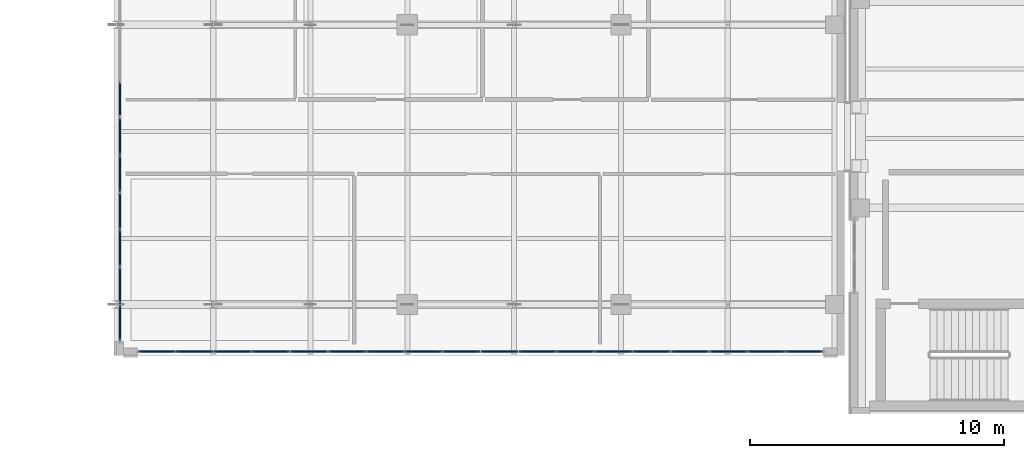
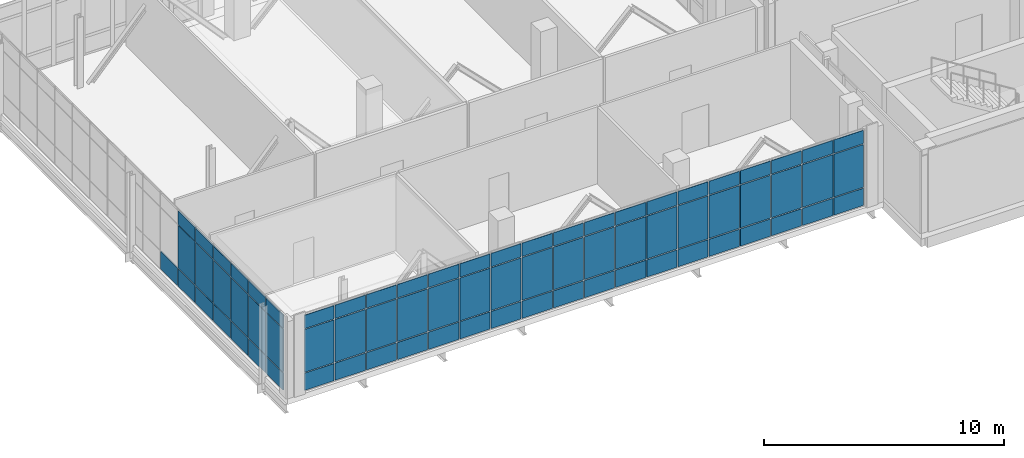
# One storey, part 112 of 165: 73 plates, 2 elements without a shape of their own.
"""IFC4 building model written with IfcOpenShell, lengths in metres."""

from ifc_helpers import new_model, si_unit, direction, frame, origin, origin_2d, place, context, subcontext, project, spatial, rectangle, extrude, material, layer, layer_set, type_object, element, aggregate, save


model = new_model("IFC4")

# Units and contexts
model_context = context("Model", 3, precision=1e-05, world=origin(), true_north=direction((0.0, 1.0)))
body_context = subcontext(model_context, "Body", "Model", "MODEL_VIEW")
ifc_project = project(units=[si_unit("LENGTHUNIT", "METRE"), si_unit("AREAUNIT", "SQUARE_METRE"), si_unit("VOLUMEUNIT", "CUBIC_METRE"), si_unit("PLANEANGLEUNIT", "RADIAN"), si_unit("MASSUNIT", "GRAM", prefix="KILO")], contexts=[model_context])

# Site, building, storey
site_placement = place(None, origin())
site = spatial("IfcSite", under=ifc_project, at=site_placement, CompositionType="ELEMENT")
building_placement = place(site_placement, origin())
building = spatial("IfcBuilding", under=site, at=building_placement, Name="Qalavern Law Courts", CompositionType="ELEMENT")
storey_placement = place(building_placement, frame((0.0, 0.0, 14.39990234375)))
storey = spatial("IfcBuildingStorey", under=building, at=storey_placement, Name="L03", CompositionType="ELEMENT", Elevation=14.39990234375)

# Curtain wall, plates
ifc_material_1 = material(Name="Anodised aluminium and insulated glazing", Category="aluminium")
ifc_layer_1 = layer(ifc_material_1, 0.199951171875)
ifc_layer_set_1 = layer_set([ifc_layer_1], Name="Anodised aluminium and insulated glazing")
curtain_wall_type = type_object("IfcCurtainWallType", Name="ENV-CW-FOYER", PredefinedType="USERDEFINED", material=ifc_layer_set_1)
curtain_wall_1_placement = place(storey_placement, origin())
curtain_wall_1 = element("IfcCurtainWall", 1, at=curtain_wall_1_placement, inside=storey, type_object=curtain_wall_type, Name="V1 unitised curtain wall L03 south 1", ObjectType="UNITISED CURTAIN WALL", PredefinedType="USERDEFINED")
ifc_material_2 = material(Name="Insulated low-E acoustic glazing", Category="glass")
ifc_layer_2 = layer(ifc_material_2, 0.052001953125)
ifc_layer_set_2 = layer_set([ifc_layer_2], Name="Insulated low-E acoustic glazing")
plate_type = type_object("IfcPlateType", Name="ENV-CWP-52", PredefinedType="CURTAIN_PANEL", material=ifc_layer_set_2)
plate_1_placement = place(storey_placement, frame((6.951171875, 8.1474609375, 0.048095703125), z_axis=(0.0, 0.0, 1.0), x_axis=(1.0, 0.0, 0.0)))
plate_1 = element("IfcPlate", 2, at=plate_1_placement, type_object=plate_type, Name="CW-01 panel 1.1", PredefinedType="CURTAIN_PANEL", context=body_context, shape_type="SweptSolid", body=[
    extrude(rectangle(XDim=1.42626953125, YDim=0.052001953125, at=origin_2d()), origin(), (0.0, 0.0, 1.0), 0.8779296875),
])
plate_2_placement = place(storey_placement, frame((6.951171875, 8.1474609375, 0.97412109375), z_axis=(0.0, 0.0, 1.0), x_axis=(1.0, 0.0, 0.0)))
plate_2 = element("IfcPlate", 3, at=plate_2_placement, type_object=plate_type, Name="CW-01 panel 1.2", PredefinedType="CURTAIN_PANEL", context=body_context, shape_type="SweptSolid", body=[
    extrude(rectangle(XDim=1.42626953125, YDim=0.052001953125, at=origin_2d()), origin(), (0.0, 0.0, 1.0), 2.172119140625),
])
plate_3_placement = place(storey_placement, frame((6.951171875, 8.1474609375, 3.1943359375), z_axis=(0.0, 0.0, 1.0), x_axis=(1.0, 0.0, 0.0)))
plate_3 = element("IfcPlate", 4, at=plate_3_placement, type_object=plate_type, Name="CW-01 panel 1.3", PredefinedType="CURTAIN_PANEL", context=body_context, shape_type="SweptSolid", body=[
    extrude(rectangle(XDim=1.42626953125, YDim=0.052001953125, at=origin_2d()), origin(), (0.0, 0.0, 1.0), 0.677978515625),
])
plate_4_placement = place(storey_placement, frame((8.4375, 8.1474609375, 0.048095703125), z_axis=(0.0, 0.0, 1.0), x_axis=(1.0, 0.0, 0.0)))
plate_4 = element("IfcPlate", 5, at=plate_4_placement, type_object=plate_type, Name="CW-01 panel 2.1", PredefinedType="CURTAIN_PANEL", context=body_context, shape_type="SweptSolid", body=[
    extrude(rectangle(XDim=1.450439453125, YDim=0.052001953125, at=origin_2d()), origin(), (0.0, 0.0, 1.0), 0.8779296875),
])
plate_5_placement = place(storey_placement, frame((8.4375, 8.1474609375, 0.97412109375), z_axis=(0.0, 0.0, 1.0), x_axis=(1.0, 0.0, 0.0)))
plate_5 = element("IfcPlate", 6, at=plate_5_placement, type_object=plate_type, Name="CW-01 panel 2.2", PredefinedType="CURTAIN_PANEL", context=body_context, shape_type="SweptSolid", body=[
    extrude(rectangle(XDim=1.450439453125, YDim=0.052001953125, at=origin_2d()), origin(), (0.0, 0.0, 1.0), 2.172119140625),
])
plate_6_placement = place(storey_placement, frame((8.4375, 8.1474609375, 3.1943359375), z_axis=(0.0, 0.0, 1.0), x_axis=(1.0, 0.0, 0.0)))
plate_6 = element("IfcPlate", 7, at=plate_6_placement, type_object=plate_type, Name="CW-01 panel 2.3", PredefinedType="CURTAIN_PANEL", context=body_context, shape_type="SweptSolid", body=[
    extrude(rectangle(XDim=1.450439453125, YDim=0.052001953125, at=origin_2d()), origin(), (0.0, 0.0, 1.0), 0.677978515625),
])
plate_7_placement = place(storey_placement, frame((9.935791015625, 8.1474609375, 0.048095703125), z_axis=(0.0, 0.0, 1.0), x_axis=(1.0, 0.0, 0.0)))
plate_7 = element("IfcPlate", 8, at=plate_7_placement, type_object=plate_type, Name="CW-01 panel 3.1", PredefinedType="CURTAIN_PANEL", context=body_context, shape_type="SweptSolid", body=[
    extrude(rectangle(XDim=1.450439453125, YDim=0.052001953125, at=origin_2d()), origin(), (0.0, 0.0, 1.0), 0.8779296875),
])
plate_8_placement = place(storey_placement, frame((9.935791015625, 8.1474609375, 0.97412109375), z_axis=(0.0, 0.0, 1.0), x_axis=(1.0, 0.0, 0.0)))
plate_8 = element("IfcPlate", 9, at=plate_8_placement, type_object=plate_type, Name="CW-01 panel 3.2", PredefinedType="CURTAIN_PANEL", context=body_context, shape_type="SweptSolid", body=[
    extrude(rectangle(XDim=1.450439453125, YDim=0.052001953125, at=origin_2d()), origin(), (0.0, 0.0, 1.0), 2.172119140625),
])
plate_9_placement = place(storey_placement, frame((9.935791015625, 8.1474609375, 3.1943359375), z_axis=(0.0, 0.0, 1.0), x_axis=(1.0, 0.0, 0.0)))
plate_9 = element("IfcPlate", 10, at=plate_9_placement, type_object=plate_type, Name="CW-01 panel 3.3", PredefinedType="CURTAIN_PANEL", context=body_context, shape_type="SweptSolid", body=[
    extrude(rectangle(XDim=1.450439453125, YDim=0.052001953125, at=origin_2d()), origin(), (0.0, 0.0, 1.0), 0.677978515625),
])
plate_10_placement = place(storey_placement, frame((11.43408203125, 8.1474609375, 0.048095703125), z_axis=(0.0, 0.0, 1.0), x_axis=(1.0, 0.0, 0.0)))
plate_10 = element("IfcPlate", 11, at=plate_10_placement, type_object=plate_type, Name="CW-01 panel 4.1", PredefinedType="CURTAIN_PANEL", context=body_context, shape_type="SweptSolid", body=[
    extrude(rectangle(XDim=1.450439453125, YDim=0.052001953125, at=origin_2d()), origin(), (0.0, 0.0, 1.0), 0.8779296875),
])
plate_11_placement = place(storey_placement, frame((11.43408203125, 8.1474609375, 0.97412109375), z_axis=(0.0, 0.0, 1.0), x_axis=(1.0, 0.0, 0.0)))
plate_11 = element("IfcPlate", 12, at=plate_11_placement, type_object=plate_type, Name="CW-01 panel 4.2", PredefinedType="CURTAIN_PANEL", context=body_context, shape_type="SweptSolid", body=[
    extrude(rectangle(XDim=1.450439453125, YDim=0.052001953125, at=origin_2d()), origin(), (0.0, 0.0, 1.0), 2.172119140625),
])
plate_12_placement = place(storey_placement, frame((11.43408203125, 8.1474609375, 3.1943359375), z_axis=(0.0, 0.0, 1.0), x_axis=(1.0, 0.0, 0.0)))
plate_12 = element("IfcPlate", 13, at=plate_12_placement, type_object=plate_type, Name="CW-01 panel 4.3", PredefinedType="CURTAIN_PANEL", context=body_context, shape_type="SweptSolid", body=[
    extrude(rectangle(XDim=1.450439453125, YDim=0.052001953125, at=origin_2d()), origin(), (0.0, 0.0, 1.0), 0.677978515625),
])
plate_13_placement = place(storey_placement, frame((12.9326171875, 8.1474609375, 0.048095703125), z_axis=(0.0, 0.0, 1.0), x_axis=(1.0, 0.0, 0.0)))
plate_13 = element("IfcPlate", 14, at=plate_13_placement, type_object=plate_type, Name="CW-01 panel 5.1", PredefinedType="CURTAIN_PANEL", context=body_context, shape_type="SweptSolid", body=[
    extrude(rectangle(XDim=1.450439453125, YDim=0.052001953125, at=origin_2d()), origin(), (0.0, 0.0, 1.0), 0.8779296875),
])
plate_14_placement = place(storey_placement, frame((12.9326171875, 8.1474609375, 0.97412109375), z_axis=(0.0, 0.0, 1.0), x_axis=(1.0, 0.0, 0.0)))
plate_14 = element("IfcPlate", 15, at=plate_14_placement, type_object=plate_type, Name="CW-01 panel 5.2", PredefinedType="CURTAIN_PANEL", context=body_context, shape_type="SweptSolid", body=[
    extrude(rectangle(XDim=1.450439453125, YDim=0.052001953125, at=origin_2d()), origin(), (0.0, 0.0, 1.0), 2.172119140625),
])
plate_15_placement = place(storey_placement, frame((12.9326171875, 8.1474609375, 3.1943359375), z_axis=(0.0, 0.0, 1.0), x_axis=(1.0, 0.0, 0.0)))
plate_15 = element("IfcPlate", 16, at=plate_15_placement, type_object=plate_type, Name="CW-01 panel 5.3", PredefinedType="CURTAIN_PANEL", context=body_context, shape_type="SweptSolid", body=[
    extrude(rectangle(XDim=1.450439453125, YDim=0.052001953125, at=origin_2d()), origin(), (0.0, 0.0, 1.0), 0.677978515625),
])
plate_16_placement = place(storey_placement, frame((14.430908203125, 8.1474609375, 0.048095703125), z_axis=(0.0, 0.0, 1.0), x_axis=(1.0, 0.0, 0.0)))
plate_16 = element("IfcPlate", 17, at=plate_16_placement, type_object=plate_type, Name="CW-01 panel 6.1", PredefinedType="CURTAIN_PANEL", context=body_context, shape_type="SweptSolid", body=[
    extrude(rectangle(XDim=1.450439453125, YDim=0.052001953125, at=origin_2d()), origin(), (0.0, 0.0, 1.0), 0.8779296875),
])
plate_17_placement = place(storey_placement, frame((14.430908203125, 8.1474609375, 0.97412109375), z_axis=(0.0, 0.0, 1.0), x_axis=(1.0, 0.0, 0.0)))
plate_17 = element("IfcPlate", 18, at=plate_17_placement, type_object=plate_type, Name="CW-01 panel 6.2", PredefinedType="CURTAIN_PANEL", context=body_context, shape_type="SweptSolid", body=[
    extrude(rectangle(XDim=1.450439453125, YDim=0.052001953125, at=origin_2d()), origin(), (0.0, 0.0, 1.0), 2.172119140625),
])
plate_18_placement = place(storey_placement, frame((14.430908203125, 8.1474609375, 3.1943359375), z_axis=(0.0, 0.0, 1.0), x_axis=(1.0, 0.0, 0.0)))
plate_18 = element("IfcPlate", 19, at=plate_18_placement, type_object=plate_type, Name="CW-01 panel 6.3", PredefinedType="CURTAIN_PANEL", context=body_context, shape_type="SweptSolid", body=[
    extrude(rectangle(XDim=1.450439453125, YDim=0.052001953125, at=origin_2d()), origin(), (0.0, 0.0, 1.0), 0.677978515625),
])
plate_19_placement = place(storey_placement, frame((15.92919921875, 8.1474609375, 0.048095703125), z_axis=(0.0, 0.0, 1.0), x_axis=(1.0, 0.0, 0.0)))
plate_19 = element("IfcPlate", 20, at=plate_19_placement, type_object=plate_type, Name="CW-01 panel 7.1", PredefinedType="CURTAIN_PANEL", context=body_context, shape_type="SweptSolid", body=[
    extrude(rectangle(XDim=1.450439453125, YDim=0.052001953125, at=origin_2d()), origin(), (0.0, 0.0, 1.0), 0.8779296875),
])
plate_20_placement = place(storey_placement, frame((15.92919921875, 8.1474609375, 0.97412109375), z_axis=(0.0, 0.0, 1.0), x_axis=(1.0, 0.0, 0.0)))
plate_20 = element("IfcPlate", 21, at=plate_20_placement, type_object=plate_type, Name="CW-01 panel 7.2", PredefinedType="CURTAIN_PANEL", context=body_context, shape_type="SweptSolid", body=[
    extrude(rectangle(XDim=1.450439453125, YDim=0.052001953125, at=origin_2d()), origin(), (0.0, 0.0, 1.0), 2.172119140625),
])
plate_21_placement = place(storey_placement, frame((15.92919921875, 8.1474609375, 3.1943359375), z_axis=(0.0, 0.0, 1.0), x_axis=(1.0, 0.0, 0.0)))
plate_21 = element("IfcPlate", 22, at=plate_21_placement, type_object=plate_type, Name="CW-01 panel 7.3", PredefinedType="CURTAIN_PANEL", context=body_context, shape_type="SweptSolid", body=[
    extrude(rectangle(XDim=1.450439453125, YDim=0.052001953125, at=origin_2d()), origin(), (0.0, 0.0, 1.0), 0.677978515625),
])
plate_22_placement = place(storey_placement, frame((17.427490234375, 8.1474609375, 0.048095703125), z_axis=(0.0, 0.0, 1.0), x_axis=(1.0, 0.0, 0.0)))
plate_22 = element("IfcPlate", 23, at=plate_22_placement, type_object=plate_type, Name="CW-01 panel 8.1", PredefinedType="CURTAIN_PANEL", context=body_context, shape_type="SweptSolid", body=[
    extrude(rectangle(XDim=1.450439453125, YDim=0.052001953125, at=origin_2d()), origin(), (0.0, 0.0, 1.0), 0.8779296875),
])
plate_23_placement = place(storey_placement, frame((17.427490234375, 8.1474609375, 0.97412109375), z_axis=(0.0, 0.0, 1.0), x_axis=(1.0, 0.0, 0.0)))
plate_23 = element("IfcPlate", 24, at=plate_23_placement, type_object=plate_type, Name="CW-01 panel 8.2", PredefinedType="CURTAIN_PANEL", context=body_context, shape_type="SweptSolid", body=[
    extrude(rectangle(XDim=1.450439453125, YDim=0.052001953125, at=origin_2d()), origin(), (0.0, 0.0, 1.0), 2.172119140625),
])
plate_24_placement = place(storey_placement, frame((17.427490234375, 8.1474609375, 3.1943359375), z_axis=(0.0, 0.0, 1.0), x_axis=(1.0, 0.0, 0.0)))
plate_24 = element("IfcPlate", 25, at=plate_24_placement, type_object=plate_type, Name="CW-01 panel 8.3", PredefinedType="CURTAIN_PANEL", context=body_context, shape_type="SweptSolid", body=[
    extrude(rectangle(XDim=1.450439453125, YDim=0.052001953125, at=origin_2d()), origin(), (0.0, 0.0, 1.0), 0.677978515625),
])
plate_25_placement = place(storey_placement, frame((18.92578125, 8.1474609375, 0.048095703125), z_axis=(0.0, 0.0, 1.0), x_axis=(1.0, 0.0, 0.0)))
plate_25 = element("IfcPlate", 26, at=plate_25_placement, type_object=plate_type, Name="CW-01 panel 9.1", PredefinedType="CURTAIN_PANEL", context=body_context, shape_type="SweptSolid", body=[
    extrude(rectangle(XDim=1.450439453125, YDim=0.052001953125, at=origin_2d()), origin(), (0.0, 0.0, 1.0), 0.8779296875),
])
plate_26_placement = place(storey_placement, frame((18.92578125, 8.1474609375, 0.97412109375), z_axis=(0.0, 0.0, 1.0), x_axis=(1.0, 0.0, 0.0)))
plate_26 = element("IfcPlate", 27, at=plate_26_placement, type_object=plate_type, Name="CW-01 panel 9.2", PredefinedType="CURTAIN_PANEL", context=body_context, shape_type="SweptSolid", body=[
    extrude(rectangle(XDim=1.450439453125, YDim=0.052001953125, at=origin_2d()), origin(), (0.0, 0.0, 1.0), 2.172119140625),
])
plate_27_placement = place(storey_placement, frame((18.92578125, 8.1474609375, 3.1943359375), z_axis=(0.0, 0.0, 1.0), x_axis=(1.0, 0.0, 0.0)))
plate_27 = element("IfcPlate", 28, at=plate_27_placement, type_object=plate_type, Name="CW-01 panel 9.3", PredefinedType="CURTAIN_PANEL", context=body_context, shape_type="SweptSolid", body=[
    extrude(rectangle(XDim=1.450439453125, YDim=0.052001953125, at=origin_2d()), origin(), (0.0, 0.0, 1.0), 0.677978515625),
])
plate_28_placement = place(storey_placement, frame((20.424072265625, 8.1474609375, 0.048095703125), z_axis=(0.0, 0.0, 1.0), x_axis=(1.0, 0.0, 0.0)))
plate_28 = element("IfcPlate", 29, at=plate_28_placement, type_object=plate_type, Name="CW-01 panel 10.1", PredefinedType="CURTAIN_PANEL", context=body_context, shape_type="SweptSolid", body=[
    extrude(rectangle(XDim=1.450439453125, YDim=0.052001953125, at=origin_2d()), origin(), (0.0, 0.0, 1.0), 0.8779296875),
])
plate_29_placement = place(storey_placement, frame((20.424072265625, 8.1474609375, 0.97412109375), z_axis=(0.0, 0.0, 1.0), x_axis=(1.0, 0.0, 0.0)))
plate_29 = element("IfcPlate", 30, at=plate_29_placement, type_object=plate_type, Name="CW-01 panel 10.2", PredefinedType="CURTAIN_PANEL", context=body_context, shape_type="SweptSolid", body=[
    extrude(rectangle(XDim=1.450439453125, YDim=0.052001953125, at=origin_2d()), origin(), (0.0, 0.0, 1.0), 2.172119140625),
])
plate_30_placement = place(storey_placement, frame((20.424072265625, 8.1474609375, 3.1943359375), z_axis=(0.0, 0.0, 1.0), x_axis=(1.0, 0.0, 0.0)))
plate_30 = element("IfcPlate", 31, at=plate_30_placement, type_object=plate_type, Name="CW-01 panel 10.3", PredefinedType="CURTAIN_PANEL", context=body_context, shape_type="SweptSolid", body=[
    extrude(rectangle(XDim=1.450439453125, YDim=0.052001953125, at=origin_2d()), origin(), (0.0, 0.0, 1.0), 0.677978515625),
])
plate_31_placement = place(storey_placement, frame((21.922607421875, 8.1474609375, 0.048095703125), z_axis=(0.0, 0.0, 1.0), x_axis=(1.0, 0.0, 0.0)))
plate_31 = element("IfcPlate", 32, at=plate_31_placement, type_object=plate_type, Name="CW-01 panel 11.1", PredefinedType="CURTAIN_PANEL", context=body_context, shape_type="SweptSolid", body=[
    extrude(rectangle(XDim=1.450439453125, YDim=0.052001953125, at=origin_2d()), origin(), (0.0, 0.0, 1.0), 0.8779296875),
])
plate_32_placement = place(storey_placement, frame((21.922607421875, 8.1474609375, 0.97412109375), z_axis=(0.0, 0.0, 1.0), x_axis=(1.0, 0.0, 0.0)))
plate_32 = element("IfcPlate", 33, at=plate_32_placement, type_object=plate_type, Name="CW-01 panel 11.2", PredefinedType="CURTAIN_PANEL", context=body_context, shape_type="SweptSolid", body=[
    extrude(rectangle(XDim=1.450439453125, YDim=0.052001953125, at=origin_2d()), origin(), (0.0, 0.0, 1.0), 2.172119140625),
])
plate_33_placement = place(storey_placement, frame((21.922607421875, 8.1474609375, 3.1943359375), z_axis=(0.0, 0.0, 1.0), x_axis=(1.0, 0.0, 0.0)))
plate_33 = element("IfcPlate", 34, at=plate_33_placement, type_object=plate_type, Name="CW-01 panel 11.3", PredefinedType="CURTAIN_PANEL", context=body_context, shape_type="SweptSolid", body=[
    extrude(rectangle(XDim=1.450439453125, YDim=0.052001953125, at=origin_2d()), origin(), (0.0, 0.0, 1.0), 0.677978515625),
])
plate_34_placement = place(storey_placement, frame((23.4208984375, 8.1474609375, 0.048095703125), z_axis=(0.0, 0.0, 1.0), x_axis=(1.0, 0.0, 0.0)))
plate_34 = element("IfcPlate", 35, at=plate_34_placement, type_object=plate_type, Name="CW-01 panel 12.1", PredefinedType="CURTAIN_PANEL", context=body_context, shape_type="SweptSolid", body=[
    extrude(rectangle(XDim=1.450439453125, YDim=0.052001953125, at=origin_2d()), origin(), (0.0, 0.0, 1.0), 0.8779296875),
])
plate_35_placement = place(storey_placement, frame((23.4208984375, 8.1474609375, 0.97412109375), z_axis=(0.0, 0.0, 1.0), x_axis=(1.0, 0.0, 0.0)))
plate_35 = element("IfcPlate", 36, at=plate_35_placement, type_object=plate_type, Name="CW-01 panel 12.2", PredefinedType="CURTAIN_PANEL", context=body_context, shape_type="SweptSolid", body=[
    extrude(rectangle(XDim=1.450439453125, YDim=0.052001953125, at=origin_2d()), origin(), (0.0, 0.0, 1.0), 2.172119140625),
])
plate_36_placement = place(storey_placement, frame((23.4208984375, 8.1474609375, 3.1943359375), z_axis=(0.0, 0.0, 1.0), x_axis=(1.0, 0.0, 0.0)))
plate_36 = element("IfcPlate", 37, at=plate_36_placement, type_object=plate_type, Name="CW-01 panel 12.3", PredefinedType="CURTAIN_PANEL", context=body_context, shape_type="SweptSolid", body=[
    extrude(rectangle(XDim=1.450439453125, YDim=0.052001953125, at=origin_2d()), origin(), (0.0, 0.0, 1.0), 0.677978515625),
])
plate_37_placement = place(storey_placement, frame((24.919189453125, 8.1474609375, 0.048095703125), z_axis=(0.0, 0.0, 1.0), x_axis=(1.0, 0.0, 0.0)))
plate_37 = element("IfcPlate", 38, at=plate_37_placement, type_object=plate_type, Name="CW-01 panel 13.1", PredefinedType="CURTAIN_PANEL", context=body_context, shape_type="SweptSolid", body=[
    extrude(rectangle(XDim=1.450439453125, YDim=0.052001953125, at=origin_2d()), origin(), (0.0, 0.0, 1.0), 0.8779296875),
])
plate_38_placement = place(storey_placement, frame((24.919189453125, 8.1474609375, 0.97412109375), z_axis=(0.0, 0.0, 1.0), x_axis=(1.0, 0.0, 0.0)))
plate_38 = element("IfcPlate", 39, at=plate_38_placement, type_object=plate_type, Name="CW-01 panel 13.2", PredefinedType="CURTAIN_PANEL", context=body_context, shape_type="SweptSolid", body=[
    extrude(rectangle(XDim=1.450439453125, YDim=0.052001953125, at=origin_2d()), origin(), (0.0, 0.0, 1.0), 2.172119140625),
])
plate_39_placement = place(storey_placement, frame((24.919189453125, 8.1474609375, 3.1943359375), z_axis=(0.0, 0.0, 1.0), x_axis=(1.0, 0.0, 0.0)))
plate_39 = element("IfcPlate", 40, at=plate_39_placement, type_object=plate_type, Name="CW-01 panel 13.3", PredefinedType="CURTAIN_PANEL", context=body_context, shape_type="SweptSolid", body=[
    extrude(rectangle(XDim=1.450439453125, YDim=0.052001953125, at=origin_2d()), origin(), (0.0, 0.0, 1.0), 0.677978515625),
])
plate_40_placement = place(storey_placement, frame((26.41748046875, 8.1474609375, 0.048095703125), z_axis=(0.0, 0.0, 1.0), x_axis=(1.0, 0.0, 0.0)))
plate_40 = element("IfcPlate", 41, at=plate_40_placement, type_object=plate_type, Name="CW-01 panel 14.1", PredefinedType="CURTAIN_PANEL", context=body_context, shape_type="SweptSolid", body=[
    extrude(rectangle(XDim=1.450439453125, YDim=0.052001953125, at=origin_2d()), origin(), (0.0, 0.0, 1.0), 0.8779296875),
])
plate_41_placement = place(storey_placement, frame((26.41748046875, 8.1474609375, 0.97412109375), z_axis=(0.0, 0.0, 1.0), x_axis=(1.0, 0.0, 0.0)))
plate_41 = element("IfcPlate", 42, at=plate_41_placement, type_object=plate_type, Name="CW-01 panel 14.2", PredefinedType="CURTAIN_PANEL", context=body_context, shape_type="SweptSolid", body=[
    extrude(rectangle(XDim=1.450439453125, YDim=0.052001953125, at=origin_2d()), origin(), (0.0, 0.0, 1.0), 2.172119140625),
])
plate_42_placement = place(storey_placement, frame((26.41748046875, 8.1474609375, 3.1943359375), z_axis=(0.0, 0.0, 1.0), x_axis=(1.0, 0.0, 0.0)))
plate_42 = element("IfcPlate", 43, at=plate_42_placement, type_object=plate_type, Name="CW-01 panel 14.3", PredefinedType="CURTAIN_PANEL", context=body_context, shape_type="SweptSolid", body=[
    extrude(rectangle(XDim=1.450439453125, YDim=0.052001953125, at=origin_2d()), origin(), (0.0, 0.0, 1.0), 0.677978515625),
])
plate_43_placement = place(storey_placement, frame((27.915771484375, 8.1474609375, 0.048095703125), z_axis=(0.0, 0.0, 1.0), x_axis=(1.0, 0.0, 0.0)))
plate_43 = element("IfcPlate", 44, at=plate_43_placement, type_object=plate_type, Name="CW-01 panel 15.1", PredefinedType="CURTAIN_PANEL", context=body_context, shape_type="SweptSolid", body=[
    extrude(rectangle(XDim=1.450439453125, YDim=0.052001953125, at=origin_2d()), origin(), (0.0, 0.0, 1.0), 0.8779296875),
])
plate_44_placement = place(storey_placement, frame((27.915771484375, 8.1474609375, 0.97412109375), z_axis=(0.0, 0.0, 1.0), x_axis=(1.0, 0.0, 0.0)))
plate_44 = element("IfcPlate", 45, at=plate_44_placement, type_object=plate_type, Name="CW-01 panel 15.2", PredefinedType="CURTAIN_PANEL", context=body_context, shape_type="SweptSolid", body=[
    extrude(rectangle(XDim=1.450439453125, YDim=0.052001953125, at=origin_2d()), origin(), (0.0, 0.0, 1.0), 2.172119140625),
])
plate_45_placement = place(storey_placement, frame((27.915771484375, 8.1474609375, 3.1943359375), z_axis=(0.0, 0.0, 1.0), x_axis=(1.0, 0.0, 0.0)))
plate_45 = element("IfcPlate", 46, at=plate_45_placement, type_object=plate_type, Name="CW-01 panel 15.3", PredefinedType="CURTAIN_PANEL", context=body_context, shape_type="SweptSolid", body=[
    extrude(rectangle(XDim=1.450439453125, YDim=0.052001953125, at=origin_2d()), origin(), (0.0, 0.0, 1.0), 0.677978515625),
])
plate_46_placement = place(storey_placement, frame((29.4140625, 8.1474609375, 0.048095703125), z_axis=(0.0, 0.0, 1.0), x_axis=(1.0, 0.0, 0.0)))
plate_46 = element("IfcPlate", 47, at=plate_46_placement, type_object=plate_type, Name="CW-01 panel 16.1", PredefinedType="CURTAIN_PANEL", context=body_context, shape_type="SweptSolid", body=[
    extrude(rectangle(XDim=1.450439453125, YDim=0.052001953125, at=origin_2d()), origin(), (0.0, 0.0, 1.0), 0.8779296875),
])
plate_47_placement = place(storey_placement, frame((29.4140625, 8.1474609375, 0.97412109375), z_axis=(0.0, 0.0, 1.0), x_axis=(1.0, 0.0, 0.0)))
plate_47 = element("IfcPlate", 48, at=plate_47_placement, type_object=plate_type, Name="CW-01 panel 16.2", PredefinedType="CURTAIN_PANEL", context=body_context, shape_type="SweptSolid", body=[
    extrude(rectangle(XDim=1.450439453125, YDim=0.052001953125, at=origin_2d()), origin(), (0.0, 0.0, 1.0), 2.172119140625),
])
plate_48_placement = place(storey_placement, frame((29.4140625, 8.1474609375, 3.1943359375), z_axis=(0.0, 0.0, 1.0), x_axis=(1.0, 0.0, 0.0)))
plate_48 = element("IfcPlate", 49, at=plate_48_placement, type_object=plate_type, Name="CW-01 panel 16.3", PredefinedType="CURTAIN_PANEL", context=body_context, shape_type="SweptSolid", body=[
    extrude(rectangle(XDim=1.450439453125, YDim=0.052001953125, at=origin_2d()), origin(), (0.0, 0.0, 1.0), 0.677978515625),
])
plate_49_placement = place(storey_placement, frame((30.91259765625, 8.1474609375, 0.048095703125), z_axis=(0.0, 0.0, 1.0), x_axis=(1.0, 0.0, 0.0)))
plate_49 = element("IfcPlate", 50, at=plate_49_placement, type_object=plate_type, Name="CW-01 panel 17.1", PredefinedType="CURTAIN_PANEL", context=body_context, shape_type="SweptSolid", body=[
    extrude(rectangle(XDim=1.450439453125, YDim=0.052001953125, at=origin_2d()), origin(), (0.0, 0.0, 1.0), 0.8779296875),
])
plate_50_placement = place(storey_placement, frame((30.91259765625, 8.1474609375, 0.97412109375), z_axis=(0.0, 0.0, 1.0), x_axis=(1.0, 0.0, 0.0)))
plate_50 = element("IfcPlate", 51, at=plate_50_placement, type_object=plate_type, Name="CW-01 panel 17.2", PredefinedType="CURTAIN_PANEL", context=body_context, shape_type="SweptSolid", body=[
    extrude(rectangle(XDim=1.450439453125, YDim=0.052001953125, at=origin_2d()), origin(), (0.0, 0.0, 1.0), 2.172119140625),
])
plate_51_placement = place(storey_placement, frame((30.91259765625, 8.1474609375, 3.1943359375), z_axis=(0.0, 0.0, 1.0), x_axis=(1.0, 0.0, 0.0)))
plate_51 = element("IfcPlate", 52, at=plate_51_placement, type_object=plate_type, Name="CW-01 panel 17.3", PredefinedType="CURTAIN_PANEL", context=body_context, shape_type="SweptSolid", body=[
    extrude(rectangle(XDim=1.450439453125, YDim=0.052001953125, at=origin_2d()), origin(), (0.0, 0.0, 1.0), 0.677978515625),
])
plate_52_placement = place(storey_placement, frame((32.39892578125, 8.1474609375, 0.048095703125), z_axis=(0.0, 0.0, 1.0), x_axis=(1.0, 0.0, 0.0)))
plate_52 = element("IfcPlate", 53, at=plate_52_placement, type_object=plate_type, Name="CW-01 panel 18.1", PredefinedType="CURTAIN_PANEL", context=body_context, shape_type="SweptSolid", body=[
    extrude(rectangle(XDim=1.42626953125, YDim=0.052001953125, at=origin_2d()), origin(), (0.0, 0.0, 1.0), 0.8779296875),
])
plate_53_placement = place(storey_placement, frame((32.39892578125, 8.1474609375, 0.97412109375), z_axis=(0.0, 0.0, 1.0), x_axis=(1.0, 0.0, 0.0)))
plate_53 = element("IfcPlate", 54, at=plate_53_placement, type_object=plate_type, Name="CW-01 panel 18.2", PredefinedType="CURTAIN_PANEL", context=body_context, shape_type="SweptSolid", body=[
    extrude(rectangle(XDim=1.42626953125, YDim=0.052001953125, at=origin_2d()), origin(), (0.0, 0.0, 1.0), 2.172119140625),
])
plate_54_placement = place(storey_placement, frame((32.39892578125, 8.1474609375, 3.1943359375), z_axis=(0.0, 0.0, 1.0), x_axis=(1.0, 0.0, 0.0)))
plate_54 = element("IfcPlate", 55, at=plate_54_placement, type_object=plate_type, Name="CW-01 panel 18.3", PredefinedType="CURTAIN_PANEL", context=body_context, shape_type="SweptSolid", body=[
    extrude(rectangle(XDim=1.42626953125, YDim=0.052001953125, at=origin_2d()), origin(), (0.0, 0.0, 1.0), 0.677978515625),
])
aggregate(curtain_wall_1, [plate_1, plate_2, plate_3, plate_4, plate_5, plate_6, plate_7, plate_8, plate_9, plate_10, plate_11, plate_12, plate_13, plate_14, plate_15, plate_16, plate_17, plate_18, plate_19, plate_20, plate_21, plate_22, plate_23, plate_24, plate_25, plate_26, plate_27, plate_28, plate_29, plate_30, plate_31, plate_32, plate_33, plate_34, plate_35, plate_36, plate_37, plate_38, plate_39, plate_40, plate_41, plate_42, plate_43, plate_44, plate_45, plate_46, plate_47, plate_48, plate_49, plate_50, plate_51, plate_52, plate_53, plate_54])

curtain_wall_2_placement = place(storey_placement, origin())
curtain_wall_2 = element("IfcCurtainWall", 56, at=curtain_wall_2_placement, inside=storey, type_object=curtain_wall_type, Name="V1 unitised curtain wall L03 west 1", ObjectType="UNITISED CURTAIN WALL", PredefinedType="USERDEFINED")
plate_55_placement = place(storey_placement, frame((5.49755859375, 18.070556640625, 0.048095703125), z_axis=(0.0, 0.0, 1.0), x_axis=(0.0, -1.0, 0.0)))
plate_55 = element("IfcPlate", 57, at=plate_55_placement, type_object=plate_type, Name="CW-01 panel 11.1", PredefinedType="CURTAIN_PANEL", context=body_context, shape_type="SweptSolid", body=[
    extrude(rectangle(XDim=1.416748046875, YDim=0.052001953125, at=origin_2d()), origin(), (0.0, 0.0, 1.0), 0.8779296875),
])
plate_56_placement = place(storey_placement, frame((5.49755859375, 16.60595703125, 0.048095703125), z_axis=(0.0, 0.0, 1.0), x_axis=(0.0, -1.0, 0.0)))
plate_56 = element("IfcPlate", 58, at=plate_56_placement, type_object=plate_type, Name="CW-01 panel 12.1", PredefinedType="CURTAIN_PANEL", context=body_context, shape_type="SweptSolid", body=[
    extrude(rectangle(XDim=1.416748046875, YDim=0.052001953125, at=origin_2d()), origin(), (0.0, 0.0, 1.0), 0.8779296875),
])
plate_57_placement = place(storey_placement, frame((5.49755859375, 16.60595703125, 0.97412109375), z_axis=(0.0, 0.0, 1.0), x_axis=(0.0, -1.0, 0.0)))
plate_57 = element("IfcPlate", 59, at=plate_57_placement, type_object=plate_type, Name="CW-01 panel 12.2", PredefinedType="CURTAIN_PANEL", context=body_context, shape_type="SweptSolid", body=[
    extrude(rectangle(XDim=1.416748046875, YDim=0.052001953125, at=origin_2d()), origin(), (0.0, 0.0, 1.0), 2.172119140625),
])
plate_58_placement = place(storey_placement, frame((5.49755859375, 16.60595703125, 3.1943359375), z_axis=(0.0, 0.0, 1.0), x_axis=(0.0, -1.0, 0.0)))
plate_58 = element("IfcPlate", 60, at=plate_58_placement, type_object=plate_type, Name="CW-01 panel 12.3", PredefinedType="CURTAIN_PANEL", context=body_context, shape_type="SweptSolid", body=[
    extrude(rectangle(XDim=1.416748046875, YDim=0.052001953125, at=origin_2d()), origin(), (0.0, 0.0, 1.0), 0.677978515625),
])
plate_59_placement = place(storey_placement, frame((5.49755859375, 15.14111328125, 0.048095703125), z_axis=(0.0, 0.0, 1.0), x_axis=(0.0, -1.0, 0.0)))
plate_59 = element("IfcPlate", 61, at=plate_59_placement, type_object=plate_type, Name="CW-01 panel 13.1", PredefinedType="CURTAIN_PANEL", context=body_context, shape_type="SweptSolid", body=[
    extrude(rectangle(XDim=1.416748046875, YDim=0.052001953125, at=origin_2d()), origin(), (0.0, 0.0, 1.0), 0.8779296875),
])
plate_60_placement = place(storey_placement, frame((5.49755859375, 15.14111328125, 0.97412109375), z_axis=(0.0, 0.0, 1.0), x_axis=(0.0, -1.0, 0.0)))
plate_60 = element("IfcPlate", 62, at=plate_60_placement, type_object=plate_type, Name="CW-01 panel 13.2", PredefinedType="CURTAIN_PANEL", context=body_context, shape_type="SweptSolid", body=[
    extrude(rectangle(XDim=1.416748046875, YDim=0.052001953125, at=origin_2d()), origin(), (0.0, 0.0, 1.0), 2.172119140625),
])
plate_61_placement = place(storey_placement, frame((5.49755859375, 15.14111328125, 3.1943359375), z_axis=(0.0, 0.0, 1.0), x_axis=(0.0, -1.0, 0.0)))
plate_61 = element("IfcPlate", 63, at=plate_61_placement, type_object=plate_type, Name="CW-01 panel 13.3", PredefinedType="CURTAIN_PANEL", context=body_context, shape_type="SweptSolid", body=[
    extrude(rectangle(XDim=1.416748046875, YDim=0.052001953125, at=origin_2d()), origin(), (0.0, 0.0, 1.0), 0.677978515625),
])
plate_62_placement = place(storey_placement, frame((5.49755859375, 13.676513671875, 0.048095703125), z_axis=(0.0, 0.0, 1.0), x_axis=(0.0, -1.0, 0.0)))
plate_62 = element("IfcPlate", 64, at=plate_62_placement, type_object=plate_type, Name="CW-01 panel 14.1", PredefinedType="CURTAIN_PANEL", context=body_context, shape_type="SweptSolid", body=[
    extrude(rectangle(XDim=1.416748046875, YDim=0.052001953125, at=origin_2d()), origin(), (0.0, 0.0, 1.0), 0.8779296875),
])
plate_63_placement = place(storey_placement, frame((5.49755859375, 13.676513671875, 0.97412109375), z_axis=(0.0, 0.0, 1.0), x_axis=(0.0, -1.0, 0.0)))
plate_63 = element("IfcPlate", 65, at=plate_63_placement, type_object=plate_type, Name="CW-01 panel 14.2", PredefinedType="CURTAIN_PANEL", context=body_context, shape_type="SweptSolid", body=[
    extrude(rectangle(XDim=1.416748046875, YDim=0.052001953125, at=origin_2d()), origin(), (0.0, 0.0, 1.0), 2.172119140625),
])
plate_64_placement = place(storey_placement, frame((5.49755859375, 13.676513671875, 3.1943359375), z_axis=(0.0, 0.0, 1.0), x_axis=(0.0, -1.0, 0.0)))
plate_64 = element("IfcPlate", 66, at=plate_64_placement, type_object=plate_type, Name="CW-01 panel 14.3", PredefinedType="CURTAIN_PANEL", context=body_context, shape_type="SweptSolid", body=[
    extrude(rectangle(XDim=1.416748046875, YDim=0.052001953125, at=origin_2d()), origin(), (0.0, 0.0, 1.0), 0.677978515625),
])
plate_65_placement = place(storey_placement, frame((5.49755859375, 12.211669921875, 0.048095703125), z_axis=(0.0, 0.0, 1.0), x_axis=(0.0, -1.0, 0.0)))
plate_65 = element("IfcPlate", 67, at=plate_65_placement, type_object=plate_type, Name="CW-01 panel 15.1", PredefinedType="CURTAIN_PANEL", context=body_context, shape_type="SweptSolid", body=[
    extrude(rectangle(XDim=1.416748046875, YDim=0.052001953125, at=origin_2d()), origin(), (0.0, 0.0, 1.0), 0.8779296875),
])
plate_66_placement = place(storey_placement, frame((5.49755859375, 12.211669921875, 0.97412109375), z_axis=(0.0, 0.0, 1.0), x_axis=(0.0, -1.0, 0.0)))
plate_66 = element("IfcPlate", 68, at=plate_66_placement, type_object=plate_type, Name="CW-01 panel 15.2", PredefinedType="CURTAIN_PANEL", context=body_context, shape_type="SweptSolid", body=[
    extrude(rectangle(XDim=1.416748046875, YDim=0.052001953125, at=origin_2d()), origin(), (0.0, 0.0, 1.0), 2.172119140625),
])
plate_67_placement = place(storey_placement, frame((5.49755859375, 12.211669921875, 3.1943359375), z_axis=(0.0, 0.0, 1.0), x_axis=(0.0, -1.0, 0.0)))
plate_67 = element("IfcPlate", 69, at=plate_67_placement, type_object=plate_type, Name="CW-01 panel 15.3", PredefinedType="CURTAIN_PANEL", context=body_context, shape_type="SweptSolid", body=[
    extrude(rectangle(XDim=1.416748046875, YDim=0.052001953125, at=origin_2d()), origin(), (0.0, 0.0, 1.0), 0.677978515625),
])
plate_68_placement = place(storey_placement, frame((5.49755859375, 10.7470703125, 0.048095703125), z_axis=(0.0, 0.0, 1.0), x_axis=(0.0, -1.0, 0.0)))
plate_68 = element("IfcPlate", 70, at=plate_68_placement, type_object=plate_type, Name="CW-01 panel 16.1", PredefinedType="CURTAIN_PANEL", context=body_context, shape_type="SweptSolid", body=[
    extrude(rectangle(XDim=1.416748046875, YDim=0.052001953125, at=origin_2d()), origin(), (0.0, 0.0, 1.0), 0.8779296875),
])
plate_69_placement = place(storey_placement, frame((5.49755859375, 10.7470703125, 0.97412109375), z_axis=(0.0, 0.0, 1.0), x_axis=(0.0, -1.0, 0.0)))
plate_69 = element("IfcPlate", 71, at=plate_69_placement, type_object=plate_type, Name="CW-01 panel 16.2", PredefinedType="CURTAIN_PANEL", context=body_context, shape_type="SweptSolid", body=[
    extrude(rectangle(XDim=1.416748046875, YDim=0.052001953125, at=origin_2d()), origin(), (0.0, 0.0, 1.0), 2.172119140625),
])
plate_70_placement = place(storey_placement, frame((5.49755859375, 10.7470703125, 3.1943359375), z_axis=(0.0, 0.0, 1.0), x_axis=(0.0, -1.0, 0.0)))
plate_70 = element("IfcPlate", 72, at=plate_70_placement, type_object=plate_type, Name="CW-01 panel 16.3", PredefinedType="CURTAIN_PANEL", context=body_context, shape_type="SweptSolid", body=[
    extrude(rectangle(XDim=1.416748046875, YDim=0.052001953125, at=origin_2d()), origin(), (0.0, 0.0, 1.0), 0.677978515625),
])
plate_71_placement = place(storey_placement, frame((5.49755859375, 9.29443359375, 0.048095703125), z_axis=(0.0, 0.0, 1.0), x_axis=(0.0, -1.0, 0.0)))
plate_71 = element("IfcPlate", 73, at=plate_71_placement, type_object=plate_type, Name="CW-01 panel 17.1", PredefinedType="CURTAIN_PANEL", context=body_context, shape_type="SweptSolid", body=[
    extrude(rectangle(XDim=1.392822265625, YDim=0.052001953125, at=origin_2d()), origin(), (0.0, 0.0, 1.0), 0.8779296875),
])
plate_72_placement = place(storey_placement, frame((5.49755859375, 9.29443359375, 0.97412109375), z_axis=(0.0, 0.0, 1.0), x_axis=(0.0, -1.0, 0.0)))
plate_72 = element("IfcPlate", 74, at=plate_72_placement, type_object=plate_type, Name="CW-01 panel 17.2", PredefinedType="CURTAIN_PANEL", context=body_context, shape_type="SweptSolid", body=[
    extrude(rectangle(XDim=1.392822265625, YDim=0.052001953125, at=origin_2d()), origin(), (0.0, 0.0, 1.0), 2.172119140625),
])
plate_73_placement = place(storey_placement, frame((5.49755859375, 9.29443359375, 3.1943359375), z_axis=(0.0, 0.0, 1.0), x_axis=(0.0, -1.0, 0.0)))
plate_73 = element("IfcPlate", 75, at=plate_73_placement, type_object=plate_type, Name="CW-01 panel 17.3", PredefinedType="CURTAIN_PANEL", context=body_context, shape_type="SweptSolid", body=[
    extrude(rectangle(XDim=1.392822265625, YDim=0.052001953125, at=origin_2d()), origin(), (0.0, 0.0, 1.0), 0.677978515625),
])
aggregate(curtain_wall_2, [plate_55, plate_56, plate_57, plate_58, plate_59, plate_60, plate_61, plate_62, plate_63, plate_64, plate_65, plate_66, plate_67, plate_68, plate_69, plate_70, plate_71, plate_72, plate_73])

save(model, "model.ifc")
